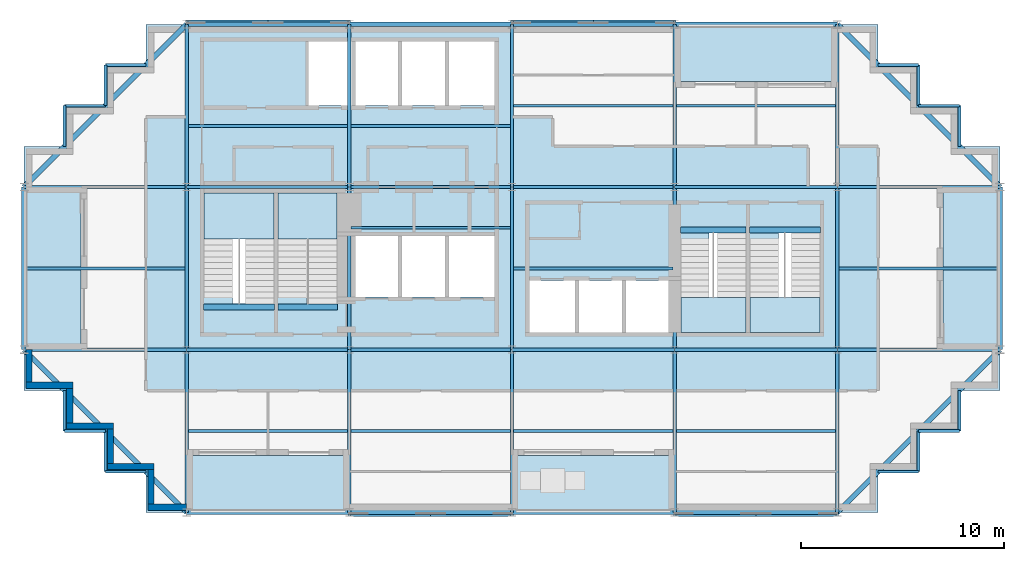
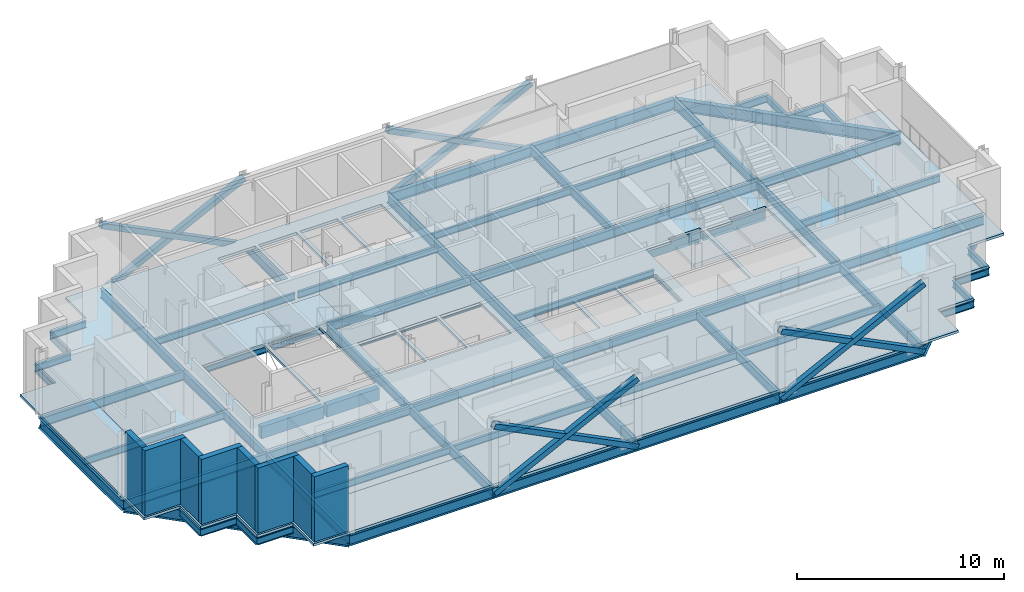
# One storey, part 3 of 10: 73 beams, 12 slabs, 8 members, 8 walls, 4 elements without a shape of their own.
"""IFC4 building model written with IfcOpenShell, lengths in metres."""

from ifc_helpers import new_model, si_unit, direction, frame, frame_2d, origin, origin_2d, place, context, subcontext, project, spatial, polyline, rectangle, hollow_rectangle, i_section, outline, extrude, material, layer, layer_set, material_profile, profile_set, type_object, element, aggregate, save


model = new_model("IFC4")

# Units and contexts
model_context = context("Model", 3, precision=1e-05, world=origin(), true_north=direction((0.0, 1.0)))
body_context = subcontext(model_context, "Body", "Model", "MODEL_VIEW")
ifc_project = project(units=[si_unit("LENGTHUNIT", "METRE"), si_unit("AREAUNIT", "SQUARE_METRE"), si_unit("VOLUMEUNIT", "CUBIC_METRE"), si_unit("PLANEANGLEUNIT", "RADIAN"), si_unit("MASSUNIT", "GRAM", prefix="KILO")], contexts=[model_context])

# Site, building, storey
site_placement = place(None, origin())
site = spatial("IfcSite", under=ifc_project, at=site_placement, CompositionType="ELEMENT")
building_placement = place(site_placement, origin())
building = spatial("IfcBuilding", under=site, at=building_placement, Name="Immortelle Media Tower", CompositionType="ELEMENT")
storey_placement = place(building_placement, frame((0.0, 0.0, 263.0)))
storey = spatial("IfcBuildingStorey", under=building, at=storey_placement, Name="L57", CompositionType="ELEMENT", Elevation=263.0)

# Members
ifc_material_1 = material(Name="Steel ASTM A500 Gr C", Category="steel")
ifc_material_profile_1 = material_profile(ifc_material_1, hollow_rectangle(XDim=0.304931640625, YDim=0.304931640625, WallThickness=0.011962890625, at=origin_2d()), Name="HSS12x12x1/2 brace")
ifc_profile_set_1 = profile_set([ifc_material_profile_1], Name="Steel ASTM A500 Gr C")
member_type = type_object("IfcMemberType", Name="HSS12x12x1/2 brace", PredefinedType="BRACE", material=ifc_profile_set_1)
for number, where, z_axis, x_axis, name in (
    (1, (16.0, -0.0625, -0.4560546875), (0.894427191, 0.0, 0.4472135955), (0.0, 1.0, 0.0), "Brace A/3-4 A"),
    (2, (16.0, -0.0625, 3.5439453125), (0.894427191, 0.0, -0.4472135955), (0.0, 1.0, 0.0), "Brace A/3-4 B"),
    (3, (32.0, -0.0625, -0.4560546875), (0.894427191, 0.0, 0.4472135955), (0.0, 1.0, 0.0), "Brace A/5-6 A"),
    (4, (32.0, -0.0625, 3.5439453125), (0.894427191, 0.0, -0.4472135955), (0.0, 1.0, 0.0), "Brace A/5-6 B"),
    (5, (32.0, 24.0625, -0.4560546875), (-0.894427191, 0.0, 0.4472135955), (0.0, -1.0, 0.0), "Brace D/4-5 A"),
    (6, (32.0, 24.0625, 3.5439453125), (-0.894427191, 0.0, -0.4472135955), (0.0, -1.0, 0.0), "Brace D/4-5 B"),
    (7, (16.0, 24.0625, -0.4560546875), (-0.894427191, 0.0, 0.4472135955), (0.0, -1.0, 0.0), "Brace D/2-3 A"),
    (8, (16.0, 24.0625, 3.5439453125), (-0.894427191, 0.0, -0.4472135955), (0.0, -1.0, 0.0), "Brace D/2-3 B"),
):
    element("IfcMember", number, at=place(storey_placement, frame(where, z_axis=z_axis, x_axis=x_axis)), inside=storey, type_object=member_type, Name=name, PredefinedType="BRACE", context=body_context, shape_type="SweptSolid", body=[
        extrude(hollow_rectangle(XDim=0.304931640625, YDim=0.304931640625, WallThickness=0.011962890625, at=origin_2d()), origin(), (0.0, 0.0, 1.0), 8.9443359375),
    ])

# Beams
ifc_material_2 = material(Name="Concrete C50/60", Category="concrete")
ifc_material_profile_2 = material_profile(ifc_material_2, rectangle(XDim=0.300048828125, YDim=0.699951171875, at=origin_2d()), Name="RC 300x700")
ifc_profile_set_2 = profile_set([ifc_material_profile_2], Name="Concrete C50/60")
beam_type_1 = type_object("IfcBeamType", Name="Stair trimmer beam 300 x 700", PredefinedType="BEAM", material=ifc_profile_set_2)
beam_1_placement = place(storey_placement, frame((8.830078125, 10.10498046875, -0.5), z_axis=(1.0, 0.0, 0.0), x_axis=(0.0, 1.0, 0.0)))
element("IfcBeam", 9, at=beam_1_placement, inside=storey, type_object=beam_type_1, Name="Stair trimmer beam SW1", PredefinedType="BEAM", context=body_context, shape_type="SweptSolid", body=[
    extrude(rectangle(XDim=0.300048828125, YDim=0.699951171875, at=origin_2d()), origin(), (0.0, 0.0, 1.0), 3.489990234375),
])
beam_2_placement = place(storey_placement, frame((12.47998046875, 10.10498046875, -0.5), z_axis=(1.0, 0.0, 0.0), x_axis=(0.0, 1.0, 0.0)))
element("IfcBeam", 10, at=beam_2_placement, inside=storey, type_object=beam_type_1, Name="Stair trimmer beam SW2", PredefinedType="BEAM", context=body_context, shape_type="SweptSolid", body=[
    extrude(rectangle(XDim=0.300048828125, YDim=0.699951171875, at=origin_2d()), origin(), (0.0, 0.0, 1.0), 2.93994140625),
])
beam_3_placement = place(storey_placement, frame((32.280029296875, 13.89501953125, -0.5), z_axis=(1.0, 0.0, 0.0), x_axis=(0.0, 1.0, 0.0)))
element("IfcBeam", 11, at=beam_3_placement, inside=storey, type_object=beam_type_1, Name="Stair trimmer beam SE1", PredefinedType="BEAM", context=body_context, shape_type="SweptSolid", body=[
    extrude(rectangle(XDim=0.300048828125, YDim=0.699951171875, at=origin_2d()), origin(), (0.0, 0.0, 1.0), 3.239990234375),
])
beam_4_placement = place(storey_placement, frame((35.679931640625, 13.89501953125, -0.5), z_axis=(1.0, 0.0, 0.0), x_axis=(0.0, 1.0, 0.0)))
element("IfcBeam", 12, at=beam_4_placement, inside=storey, type_object=beam_type_1, Name="Stair trimmer beam SE2", PredefinedType="BEAM", context=body_context, shape_type="SweptSolid", body=[
    extrude(rectangle(XDim=0.300048828125, YDim=0.699951171875, at=origin_2d()), origin(), (0.0, 0.0, 1.0), 3.489990234375),
])
ifc_material_3 = material(Name="Steel ASTM A992 Gr 50", Category="steel")
ifc_material_profile_3 = material_profile(ifc_material_3, i_section(OverallWidth=0.139892578125, OverallDepth=0.404052734375, WebThickness=0.007080078125, FlangeThickness=0.010986328125, at=origin_2d()), Name="W16x31")
ifc_profile_set_3 = profile_set([ifc_material_profile_3], Name="Steel ASTM A992 Gr 50")
beam_type_2 = type_object("IfcBeamType", Name="W16x31 secondary beam", PredefinedType="JOIST", material=ifc_profile_set_3)
for number, where, z_axis, x_axis, name in (
    (13, (8.08349609375, 4.0, -0.35205078125), (1.0, 0.0, 0.0), (0.0, 1.0, 0.0), "Beam A-B/2-3"),
    (14, (16.08349609375, 4.0, -0.35205078125), (1.0, 0.0, 0.0), (0.0, 1.0, 0.0), "Beam A-B/3-4"),
    (15, (24.08349609375, 4.0, -0.35205078125), (1.0, 0.0, 0.0), (0.0, 1.0, 0.0), "Beam A-B/4-5"),
    (16, (32.08349609375, 4.0, -0.35205078125), (1.0, 0.0, 0.0), (0.0, 1.0, 0.0), "Beam A-B/5-6"),
):
    element("IfcBeam", number, at=place(storey_placement, frame(where, z_axis=z_axis, x_axis=x_axis)), inside=storey, type_object=beam_type_2, Name=name, PredefinedType="JOIST", context=body_context, shape_type="SweptSolid", body=[
        extrude(i_section(OverallWidth=0.139892578125, OverallDepth=0.404052734375, WebThickness=0.007080078125, FlangeThickness=0.010986328125, at=origin_2d()), origin(), (0.0, 0.0, 1.0), 7.8330078125),
    ])
beam_5_placement = place(storey_placement, frame((0.114501953125, 12.0, -0.35205078125), z_axis=(1.0, 0.0, 0.0), x_axis=(0.0, 1.0, 0.0)))
element("IfcBeam", 17, at=beam_5_placement, inside=storey, type_object=beam_type_2, Name="Beam B-C/1-2", PredefinedType="JOIST", context=body_context, shape_type="SweptSolid", body=[
    extrude(i_section(OverallWidth=0.139892578125, OverallDepth=0.404052734375, WebThickness=0.007080078125, FlangeThickness=0.010986328125, at=origin_2d()), origin(), (0.0, 0.0, 1.0), 7.802001953125),
])
for number, where, z_axis, x_axis, name in (
    (18, (16.08349609375, 14.0, -0.35205078125), (1.0, 0.0, 0.0), (0.0, 1.0, 0.0), "Beam B-C/3-4"),
    (19, (24.08349609375, 12.0, -0.35205078125), (1.0, 0.0, 0.0), (0.0, 1.0, 0.0), "Beam B-C/4-5"),
):
    element("IfcBeam", number, at=place(storey_placement, frame(where, z_axis=z_axis, x_axis=x_axis)), inside=storey, type_object=beam_type_2, Name=name, PredefinedType="JOIST", context=body_context, shape_type="SweptSolid", body=[
        extrude(i_section(OverallWidth=0.139892578125, OverallDepth=0.404052734375, WebThickness=0.007080078125, FlangeThickness=0.010986328125, at=origin_2d()), origin(), (0.0, 0.0, 1.0), 7.8330078125),
    ])
beam_6_placement = place(storey_placement, frame((40.08349609375, 12.0, -0.35205078125), z_axis=(1.0, 0.0, 0.0), x_axis=(0.0, 1.0, 0.0)))
element("IfcBeam", 20, at=beam_6_placement, inside=storey, type_object=beam_type_2, Name="Beam B-C/6-7", PredefinedType="JOIST", context=body_context, shape_type="SweptSolid", body=[
    extrude(i_section(OverallWidth=0.139892578125, OverallDepth=0.404052734375, WebThickness=0.007080078125, FlangeThickness=0.010986328125, at=origin_2d()), origin(), (0.0, 0.0, 1.0), 7.802001953125),
])
for number, where, z_axis, x_axis, name in (
    (21, (8.08349609375, 19.0, -0.35205078125), (1.0, 0.0, 0.0), (0.0, 1.0, 0.0), "Beam C-D/2-3"),
    (22, (16.08349609375, 19.0, -0.35205078125), (1.0, 0.0, 0.0), (0.0, 1.0, 0.0), "Beam C-D/3-4"),
    (23, (24.08349609375, 20.0, -0.35205078125), (1.0, 0.0, 0.0), (0.0, 1.0, 0.0), "Beam C-D/4-5"),
    (24, (32.08349609375, 20.0, -0.35205078125), (1.0, 0.0, 0.0), (0.0, 1.0, 0.0), "Beam C-D/5-6"),
):
    element("IfcBeam", number, at=place(storey_placement, frame(where, z_axis=z_axis, x_axis=x_axis)), inside=storey, type_object=beam_type_2, Name=name, PredefinedType="JOIST", context=body_context, shape_type="SweptSolid", body=[
        extrude(i_section(OverallWidth=0.139892578125, OverallDepth=0.404052734375, WebThickness=0.007080078125, FlangeThickness=0.010986328125, at=origin_2d()), origin(), (0.0, 0.0, 1.0), 7.8330078125),
    ])
ifc_material_profile_4 = material_profile(ifc_material_3, i_section(OverallWidth=0.139892578125, OverallDepth=0.404052734375, WebThickness=0.007080078125, FlangeThickness=0.010986328125, at=origin_2d()), Name="W16x31")
ifc_profile_set_4 = profile_set([ifc_material_profile_4], Name="Steel ASTM A992 Gr 50")
beam_type_3 = type_object("IfcBeamType", Name="W16x31 serration edge beam", PredefinedType="SPANDREL", material=ifc_profile_set_4)
for number, where, z_axis, x_axis, name in (
    (25, (6.0, 2.0, -0.35205078125), (-1.0, 0.0, 0.0), (0.0, -1.0, 0.0), "Corner edge beam 1 at 1/A"),
    (26, (4.0, 2.0, -0.35205078125), (0.0, 1.0, 0.0), (-1.0, 0.0, 0.0), "Corner edge beam 2 at 1/A"),
    (27, (4.0, 4.0, -0.35205078125), (-1.0, 0.0, 0.0), (0.0, -1.0, 0.0), "Corner edge beam 3 at 1/A"),
    (28, (2.0, 4.0, -0.35205078125), (0.0, 1.0, 0.0), (-1.0, 0.0, 0.0), "Corner edge beam 4 at 1/A"),
    (29, (2.0, 18.0, -0.35205078125), (0.0, 1.0, 0.0), (-1.0, 0.0, 0.0), "Corner edge beam 1 at 1/D"),
    (30, (2.0, 20.0, -0.35205078125), (1.0, 0.0, 0.0), (0.0, 1.0, 0.0), "Corner edge beam 2 at 1/D"),
    (31, (4.0, 20.0, -0.35205078125), (0.0, 1.0, 0.0), (-1.0, 0.0, 0.0), "Corner edge beam 3 at 1/D"),
    (32, (4.0, 22.0, -0.35205078125), (1.0, 0.0, 0.0), (0.0, 1.0, 0.0), "Corner edge beam 4 at 1/D"),
    (33, (46.0, 6.0, -0.35205078125), (0.0, -1.0, 0.0), (1.0, 0.0, 0.0), "Corner edge beam 1 at 7/A"),
    (34, (46.0, 4.0, -0.35205078125), (-1.0, 0.0, 0.0), (0.0, -1.0, 0.0), "Corner edge beam 2 at 7/A"),
    (35, (44.0, 4.0, -0.35205078125), (0.0, -1.0, 0.0), (1.0, 0.0, 0.0), "Corner edge beam 3 at 7/A"),
    (36, (44.0, 2.0, -0.35205078125), (-1.0, 0.0, 0.0), (0.0, -1.0, 0.0), "Corner edge beam 4 at 7/A"),
    (37, (42.0, 22.0, -0.35205078125), (1.0, 0.0, 0.0), (0.0, 1.0, 0.0), "Corner edge beam 1 at 7/D"),
    (38, (44.0, 22.0, -0.35205078125), (0.0, -1.0, 0.0), (1.0, 0.0, 0.0), "Corner edge beam 2 at 7/D"),
    (39, (44.0, 20.0, -0.35205078125), (1.0, 0.0, 0.0), (0.0, 1.0, 0.0), "Corner edge beam 3 at 7/D"),
    (40, (46.0, 20.0, -0.35205078125), (0.0, -1.0, 0.0), (1.0, 0.0, 0.0), "Corner edge beam 4 at 7/D"),
):
    element("IfcBeam", number, at=place(storey_placement, frame(where, z_axis=z_axis, x_axis=x_axis)), inside=storey, type_object=beam_type_3, Name=name, PredefinedType="SPANDREL", context=body_context, shape_type="SweptSolid", body=[
        extrude(i_section(OverallWidth=0.139892578125, OverallDepth=0.404052734375, WebThickness=0.007080078125, FlangeThickness=0.010986328125, at=origin_2d()), origin(), (0.0, 0.0, 1.0), 2.0),
    ])
ifc_material_profile_5 = material_profile(ifc_material_3, i_section(OverallWidth=0.1669921875, OverallDepth=0.535888671875, WebThickness=0.010009765625, FlangeThickness=0.01708984375, at=origin_2d()), Name="W21x57")
ifc_profile_set_5 = profile_set([ifc_material_profile_5], Name="Steel ASTM A992 Gr 50")
beam_type_4 = type_object("IfcBeamType", Name="W21x57 girder", PredefinedType="BEAM", material=ifc_profile_set_5)
for number, where, z_axis, x_axis, name in (
    (41, (0.0, 8.0, -0.41796875), (1.0, 0.0, 0.0), (0.0, 1.0, 0.0), "Girder B/1-2"),
    (42, (0.0, 16.0, -0.41796875), (1.0, 0.0, 0.0), (0.0, 1.0, 0.0), "Girder C/1-2"),
    (43, (8.0, 0.0, -0.41796875), (0.0, 1.0, 0.0), (-1.0, 0.0, 0.0), "Girder 2/A-B"),
    (44, (8.0, 8.0, -0.41796875), (1.0, 0.0, 0.0), (0.0, 1.0, 0.0), "Girder B/2-3"),
    (45, (8.0, 8.0, -0.41796875), (0.0, 1.0, 0.0), (-1.0, 0.0, 0.0), "Girder 2/B-C"),
    (46, (8.0, 16.0, -0.41796875), (1.0, 0.0, 0.0), (0.0, 1.0, 0.0), "Girder C/2-3"),
    (47, (8.0, 16.0, -0.41796875), (0.0, 1.0, 0.0), (-1.0, 0.0, 0.0), "Girder 2/C-D"),
    (48, (16.0, 0.0, -0.41796875), (0.0, 1.0, 0.0), (-1.0, 0.0, 0.0), "Girder 3/A-B"),
    (49, (16.0, 8.0, -0.41796875), (1.0, 0.0, 0.0), (0.0, 1.0, 0.0), "Girder B/3-4"),
    (50, (16.0, 8.0, -0.41796875), (0.0, 1.0, 0.0), (-1.0, 0.0, 0.0), "Girder 3/B-C"),
    (51, (16.0, 16.0, -0.41796875), (1.0, 0.0, 0.0), (0.0, 1.0, 0.0), "Girder C/3-4"),
    (52, (16.0, 16.0, -0.41796875), (0.0, 1.0, 0.0), (-1.0, 0.0, 0.0), "Girder 3/C-D"),
    (53, (24.0, 0.0, -0.41796875), (0.0, 1.0, 0.0), (-1.0, 0.0, 0.0), "Girder 4/A-B"),
    (54, (24.0, 8.0, -0.41796875), (1.0, 0.0, 0.0), (0.0, 1.0, 0.0), "Girder B/4-5"),
    (55, (24.0, 8.0, -0.41796875), (0.0, 1.0, 0.0), (-1.0, 0.0, 0.0), "Girder 4/B-C"),
    (56, (24.0, 16.0, -0.41796875), (1.0, 0.0, 0.0), (0.0, 1.0, 0.0), "Girder C/4-5"),
    (57, (24.0, 16.0, -0.41796875), (0.0, 1.0, 0.0), (-1.0, 0.0, 0.0), "Girder 4/C-D"),
    (58, (32.0, 0.0, -0.41796875), (0.0, 1.0, 0.0), (-1.0, 0.0, 0.0), "Girder 5/A-B"),
    (59, (32.0, 8.0, -0.41796875), (1.0, 0.0, 0.0), (0.0, 1.0, 0.0), "Girder B/5-6"),
    (60, (32.0, 8.0, -0.41796875), (0.0, 1.0, 0.0), (-1.0, 0.0, 0.0), "Girder 5/B-C"),
    (61, (32.0, 16.0, -0.41796875), (1.0, 0.0, 0.0), (0.0, 1.0, 0.0), "Girder C/5-6"),
    (62, (32.0, 16.0, -0.41796875), (0.0, 1.0, 0.0), (-1.0, 0.0, 0.0), "Girder 5/C-D"),
    (63, (40.0, 0.0, -0.41796875), (0.0, 1.0, 0.0), (-1.0, 0.0, 0.0), "Girder 6/A-B"),
    (64, (40.0, 8.0, -0.41796875), (1.0, 0.0, 0.0), (0.0, 1.0, 0.0), "Girder B/6-7"),
    (65, (40.0, 8.0, -0.41796875), (0.0, 1.0, 0.0), (-1.0, 0.0, 0.0), "Girder 6/B-C"),
    (66, (40.0, 16.0, -0.41796875), (1.0, 0.0, 0.0), (0.0, 1.0, 0.0), "Girder C/6-7"),
    (67, (40.0, 16.0, -0.41796875), (0.0, 1.0, 0.0), (-1.0, 0.0, 0.0), "Girder 6/C-D"),
):
    element("IfcBeam", number, at=place(storey_placement, frame(where, z_axis=z_axis, x_axis=x_axis)), inside=storey, type_object=beam_type_4, Name=name, PredefinedType="BEAM", context=body_context, shape_type="SweptSolid", body=[
        extrude(i_section(OverallWidth=0.1669921875, OverallDepth=0.535888671875, WebThickness=0.010009765625, FlangeThickness=0.01708984375, at=origin_2d()), origin(), (0.0, 0.0, 1.0), 8.0),
    ])
ifc_material_profile_6 = material_profile(ifc_material_3, i_section(OverallWidth=0.22900390625, OverallDepth=0.612060546875, WebThickness=0.011962890625, FlangeThickness=0.02001953125, at=origin_2d()), Name="W24x84")
ifc_profile_set_6 = profile_set([ifc_material_profile_6], Name="Steel ASTM A992 Gr 50")
beam_type_5 = type_object("IfcBeamType", Name="W24x84 perimeter girder", PredefinedType="SPANDREL", material=ifc_profile_set_6)
for number, where, z_axis, x_axis, name in (
    (68, (0.0, 8.0, -0.4560546875), (0.0, 1.0, 0.0), (-1.0, 0.0, 0.0), "Girder 1/B-C"),
    (69, (8.0, 0.0, -0.4560546875), (1.0, 0.0, 0.0), (0.0, 1.0, 0.0), "Girder A/2-3"),
    (70, (8.0, 24.0, -0.4560546875), (1.0, 0.0, 0.0), (0.0, 1.0, 0.0), "Girder D/2-3"),
    (71, (16.0, 0.0, -0.4560546875), (1.0, 0.0, 0.0), (0.0, 1.0, 0.0), "Girder A/3-4"),
    (72, (16.0, 24.0, -0.4560546875), (1.0, 0.0, 0.0), (0.0, 1.0, 0.0), "Girder D/3-4"),
    (73, (24.0, 0.0, -0.4560546875), (1.0, 0.0, 0.0), (0.0, 1.0, 0.0), "Girder A/4-5"),
    (74, (24.0, 24.0, -0.4560546875), (1.0, 0.0, 0.0), (0.0, 1.0, 0.0), "Girder D/4-5"),
    (75, (32.0, 0.0, -0.4560546875), (1.0, 0.0, 0.0), (0.0, 1.0, 0.0), "Girder A/5-6"),
    (76, (32.0, 24.0, -0.4560546875), (1.0, 0.0, 0.0), (0.0, 1.0, 0.0), "Girder D/5-6"),
    (77, (48.0, 8.0, -0.4560546875), (0.0, 1.0, 0.0), (-1.0, 0.0, 0.0), "Girder 7/B-C"),
):
    element("IfcBeam", number, at=place(storey_placement, frame(where, z_axis=z_axis, x_axis=x_axis)), inside=storey, type_object=beam_type_5, Name=name, PredefinedType="SPANDREL", context=body_context, shape_type="SweptSolid", body=[
        extrude(i_section(OverallWidth=0.22900390625, OverallDepth=0.612060546875, WebThickness=0.011962890625, FlangeThickness=0.02001953125, at=origin_2d()), origin(), (0.0, 0.0, 1.0), 8.0),
    ])
ifc_material_profile_7 = material_profile(ifc_material_3, i_section(OverallWidth=0.2529296875, OverallDepth=0.677978515625, WebThickness=0.011962890625, FlangeThickness=0.01611328125, at=origin_2d()), Name="W27x84")
ifc_profile_set_7 = profile_set([ifc_material_profile_7], Name="Steel ASTM A992 Gr 50")
beam_type_6 = type_object("IfcBeamType", Name="W27x84 corner girder", PredefinedType="SPANDREL", material=ifc_profile_set_7)
for number, where, z_axis, x_axis, name in (
    (78, (8.0, 0.0, -0.489013671875), (-0.707106781187, 0.707106781187, 0.0), (-0.707106781187, -0.707106781187, 0.0), "Corner girder at 1/A"),
    (79, (0.0, 16.0, -0.489013671875), (0.707106781187, 0.707106781187, 0.0), (-0.707106781187, 0.707106781187, 0.0), "Corner girder at 1/D"),
    (80, (48.0, 8.0, -0.489013671875), (-0.707106781187, -0.707106781187, 0.0), (0.707106781187, -0.707106781187, 0.0), "Corner girder at 7/A"),
    (81, (40.0, 24.0, -0.489013671875), (0.707106781187, -0.707106781187, 0.0), (0.707106781187, 0.707106781187, 0.0), "Corner girder at 7/D"),
):
    element("IfcBeam", number, at=place(storey_placement, frame(where, z_axis=z_axis, x_axis=x_axis)), inside=storey, type_object=beam_type_6, Name=name, PredefinedType="SPANDREL", context=body_context, shape_type="SweptSolid", body=[
        extrude(i_section(OverallWidth=0.2529296875, OverallDepth=0.677978515625, WebThickness=0.011962890625, FlangeThickness=0.01611328125, at=origin_2d()), origin(), (0.0, 0.0, 1.0), 11.313720703125),
    ])

# Slabs
ifc_material_4 = material(Name="Concrete C50/60 composite deck", Category="concrete")
ifc_layer_1 = layer(ifc_material_4, 0.14990234375)
ifc_layer_set_1 = layer_set([ifc_layer_1], Name="Concrete C50/60 composite deck")
slab_type_1 = type_object("IfcSlabType", Name="Balcony slab 150", PredefinedType="FLOOR", material=ifc_layer_set_1)
slab_1_placement = place(storey_placement, frame((0.0, 0.0, -0.14990234375)))
element("IfcSlab", 82, at=slab_1_placement, inside=storey, type_object=slab_type_1, Name="Balcony slab L57 S0", PredefinedType="FLOOR", context=body_context, shape_type="SweptSolid", body=[
    extrude(outline(polyline([(16.0, 0.0), (16.0, 2.800048828125), (8.0, 2.800048828125), (8.0, 0.0), (16.0, 0.0)])), origin(), (0.0, 0.0, 1.0), 0.14990234375),
])
slab_2_placement = place(storey_placement, frame((0.0, 0.0, -0.14990234375)))
element("IfcSlab", 83, at=slab_2_placement, inside=storey, type_object=slab_type_1, Name="Balcony slab L57 S2", PredefinedType="FLOOR", context=body_context, shape_type="SweptSolid", body=[
    extrude(outline(polyline([(32.0, 0.0), (32.0, 2.800048828125), (24.0, 2.800048828125), (24.0, 0.0), (32.0, 0.0)])), origin(), (0.0, 0.0, 1.0), 0.14990234375),
])
slab_3_placement = place(storey_placement, frame((0.0, 0.0, -0.14990234375)))
element("IfcSlab", 84, at=slab_3_placement, inside=storey, type_object=slab_type_1, Name="Balcony slab L57 E0", PredefinedType="FLOOR", context=body_context, shape_type="SweptSolid", body=[
    extrude(outline(polyline([(48.0, 8.0), (48.0, 16.0), (45.199951171875, 16.0), (45.199951171875, 8.0), (48.0, 8.0)])), origin(), (0.0, 0.0, 1.0), 0.14990234375),
])
slab_4_placement = place(storey_placement, frame((0.0, 0.0, -0.14990234375)))
element("IfcSlab", 85, at=slab_4_placement, inside=storey, type_object=slab_type_1, Name="Balcony slab L57 N0", PredefinedType="FLOOR", context=body_context, shape_type="SweptSolid", body=[
    extrude(outline(polyline([(40.0, 21.199951171875), (40.0, 24.0), (32.0, 24.0), (32.0, 21.199951171875), (40.0, 21.199951171875)])), origin(), (0.0, 0.0, 1.0), 0.14990234375),
])
slab_5_placement = place(storey_placement, frame((0.0, 0.0, -0.14990234375)))
element("IfcSlab", 86, at=slab_5_placement, inside=storey, type_object=slab_type_1, Name="Balcony slab L57 W0", PredefinedType="FLOOR", context=body_context, shape_type="SweptSolid", body=[
    extrude(outline(polyline([(2.800048828125, 8.0), (2.800048828125, 16.0), (0.0, 16.0), (0.0, 8.0), (2.800048828125, 8.0)])), origin(), (0.0, 0.0, 1.0), 0.14990234375),
])
ifc_layer_2 = layer(ifc_material_2, 0.14990234375)
ifc_layer_set_2 = layer_set([ifc_layer_2], Name="Concrete C50/60")
slab_type_2 = type_object("IfcSlabType", Name="Composite floor slab 150", PredefinedType="FLOOR", material=ifc_layer_set_2)
slab_6_placement = place(storey_placement, frame((0.0, 0.0, -0.14990234375)))
element("IfcSlab", 87, at=slab_6_placement, inside=storey, type_object=slab_type_2, Name="Floor slab L57", PredefinedType="FLOOR", context=body_context, shape_type="SweptSolid", body=[
    extrude(outline(polyline([(6.0, 0.0), (6.0, 2.0), (4.0, 2.0), (4.0, 4.0), (2.0, 4.0), (2.0, 6.0), (0.0, 6.0), (0.0, 8.0), (2.800048828125, 8.0), (2.800048828125, 16.0), (0.0, 16.0), (0.0, 18.0), (2.0, 18.0), (2.0, 20.0), (4.0, 20.0), (4.0, 22.0), (6.0, 22.0), (6.0, 24.0), (8.0, 24.0), (8.0, 8.0), (24.0, 8.0), (40.0, 8.0), (40.0, 16.0), (24.0, 16.0), (24.0, 21.199951171875), (24.0, 24.0), (32.0, 24.0), (32.0, 21.199951171875), (40.0, 21.199951171875), (40.0, 24.0), (42.0, 24.0), (42.0, 22.0), (44.0, 22.0), (44.0, 20.0), (46.0, 20.0), (46.0, 18.0), (48.0, 18.0), (48.0, 16.0), (45.199951171875, 16.0), (45.199951171875, 8.0), (48.0, 8.0), (48.0, 6.0), (46.0, 6.0), (46.0, 4.0), (44.0, 4.0), (44.0, 2.0), (42.0, 2.0), (42.0, 0.0), (32.0, 0.0), (32.0, 2.800048828125), (24.0, 2.800048828125), (24.0, 0.0), (16.0, 0.0), (16.0, 2.800048828125), (8.0, 2.800048828125), (8.0, 0.0), (6.0, 0.0)])), origin(), (0.0, 0.0, 1.0), 0.14990234375),
])
ifc_layer_3 = layer(ifc_material_2, 0.14990234375)
ifc_layer_set_3 = layer_set([ifc_layer_3], Name="Concrete C50/60")
slab_type_3 = type_object("IfcSlabType", Name="Core floor slab 150", PredefinedType="FLOOR", material=ifc_layer_set_3)
slab_7_placement = place(storey_placement, frame((0.0, 0.0, -0.14990234375)))
element("IfcSlab", 88, at=slab_7_placement, inside=storey, type_object=slab_type_3, Name="Core floor SW", PredefinedType="FLOOR", context=body_context, shape_type="SweptSolid", body=[
    extrude(outline(polyline([(8.0, 8.0), (24.0, 8.0), (24.0, 24.0), (8.0, 24.0), (8.0, 8.0)]), holes=[polyline([(14.0, 20.0), (16.10009765625, 20.0), (16.10009765625, 23.14990234375), (14.0, 23.14990234375), (14.0, 20.0)]), polyline([(16.300048828125, 20.0), (18.39990234375, 20.0), (18.39990234375, 23.14990234375), (16.300048828125, 23.14990234375), (16.300048828125, 20.0)]), polyline([(18.60009765625, 20.0), (20.699951171875, 20.0), (20.699951171875, 23.14990234375), (18.60009765625, 23.14990234375), (18.60009765625, 20.0)]), polyline([(20.89990234375, 20.0), (23.14990234375, 20.0), (23.14990234375, 23.14990234375), (20.89990234375, 23.14990234375), (20.89990234375, 20.0)]), polyline([(16.300048828125, 10.60009765625), (18.39990234375, 10.60009765625), (18.39990234375, 13.60009765625), (16.300048828125, 13.60009765625), (16.300048828125, 10.60009765625)]), polyline([(18.60009765625, 10.60009765625), (20.699951171875, 10.60009765625), (20.699951171875, 13.60009765625), (18.60009765625, 13.60009765625), (18.60009765625, 10.60009765625)]), polyline([(20.89990234375, 10.60009765625), (23.14990234375, 10.60009765625), (23.14990234375, 13.60009765625), (20.89990234375, 13.60009765625), (20.89990234375, 10.60009765625)]), polyline([(8.85009765625, 15.699951171875), (12.300048828125, 15.699951171875), (12.300048828125, 10.27001953125), (10.25, 10.27001953125), (10.25, 10.56005859375), (8.85009765625, 10.56005859375), (8.85009765625, 15.699951171875)]), polyline([(12.5, 15.699951171875), (15.39990234375, 15.699951171875), (15.39990234375, 10.27001953125), (13.89990234375, 10.27001953125), (13.89990234375, 10.56005859375), (12.5, 10.56005859375), (12.5, 15.699951171875)])]), origin(), (0.0, 0.0, 1.0), 0.14990234375),
])
slab_8_placement = place(storey_placement, frame((0.0, 0.0, -0.14990234375)))
element("IfcSlab", 89, at=slab_8_placement, inside=storey, type_object=slab_type_3, Name="Core floor SE", PredefinedType="FLOOR", context=body_context, shape_type="SweptSolid", body=[
    extrude(outline(polyline([(24.0, 8.0), (40.0, 8.0), (40.0, 16.0), (24.0, 16.0), (24.0, 8.0)]), holes=[polyline([(24.85009765625, 8.85009765625), (27.10009765625, 8.85009765625), (27.10009765625, 11.39990234375), (24.85009765625, 11.39990234375), (24.85009765625, 8.85009765625)]), polyline([(27.300048828125, 8.85009765625), (29.39990234375, 8.85009765625), (29.39990234375, 11.39990234375), (27.300048828125, 11.39990234375), (27.300048828125, 8.85009765625)]), polyline([(29.60009765625, 8.85009765625), (31.699951171875, 8.85009765625), (31.699951171875, 11.39990234375), (29.60009765625, 11.39990234375), (29.60009765625, 8.85009765625)]), polyline([(35.5, 13.72998046875), (35.5, 8.85009765625), (32.300048828125, 8.85009765625), (32.300048828125, 13.43994140625), (33.699951171875, 13.43994140625), (33.699951171875, 13.72998046875), (35.5, 13.72998046875)]), polyline([(39.14990234375, 13.72998046875), (39.14990234375, 8.85009765625), (35.699951171875, 8.85009765625), (35.699951171875, 13.43994140625), (37.10009765625, 13.43994140625), (37.10009765625, 13.72998046875), (39.14990234375, 13.72998046875)])]), origin(), (0.0, 0.0, 1.0), 0.14990234375),
])

# Stair, slab
stair_type = type_object("IfcStairType", Name="Stair with flights", PredefinedType="DOUBLE_RETURN_STAIR", material=ifc_material_3)
stair_1_placement = place(storey_placement, origin())
stair_1 = element("IfcStair", 90, at=stair_1_placement, inside=storey, type_object=stair_type, Name="Exit stair SW1", PredefinedType="DOUBLE_RETURN_STAIR")
ifc_material_5 = material(Name="Steel ASTM A572 Gr 50", Category="steel")
ifc_layer_4 = layer(ifc_material_5, 0.199951171875)
ifc_layer_set_4 = layer_set([ifc_layer_4], Name="Steel ASTM A572 Gr 50")
slab_type_4 = type_object("IfcSlabType", Name="Stair landing 200", PredefinedType="LANDING", material=ifc_layer_set_4)
slab_9_placement = place(storey_placement, frame((0.0, 0.0, 1.713134765625)))
slab_9 = element("IfcSlab", 91, at=slab_9_placement, type_object=slab_type_4, Name="ST SW1 landing 1", PredefinedType="LANDING", context=body_context, shape_type="SweptSolid", body=[
    extrude(outline(polyline([(8.85009765625, 13.43994140625), (12.300048828125, 13.43994140625), (12.300048828125, 15.699951171875), (8.85009765625, 15.699951171875), (8.85009765625, 13.43994140625)])), origin(), (0.0, 0.0, 1.0), 0.199951171875),
])
aggregate(stair_1, [slab_9])

stair_2_placement = place(storey_placement, origin())
stair_2 = element("IfcStair", 92, at=stair_2_placement, inside=storey, type_object=stair_type, Name="Exit stair SW2", PredefinedType="DOUBLE_RETURN_STAIR")
slab_10_placement = place(storey_placement, frame((0.0, 0.0, 1.713134765625)))
slab_10 = element("IfcSlab", 93, at=slab_10_placement, type_object=slab_type_4, Name="ST SW2 landing 1", PredefinedType="LANDING", context=body_context, shape_type="SweptSolid", body=[
    extrude(outline(polyline([(12.5, 13.43994140625), (15.39990234375, 13.43994140625), (15.39990234375, 15.699951171875), (12.5, 15.699951171875), (12.5, 13.43994140625)])), origin(), (0.0, 0.0, 1.0), 0.199951171875),
])
aggregate(stair_2, [slab_10])

stair_3_placement = place(storey_placement, origin())
stair_3 = element("IfcStair", 94, at=stair_3_placement, inside=storey, type_object=stair_type, Name="Exit stair SE1", PredefinedType="DOUBLE_RETURN_STAIR")
slab_11_placement = place(storey_placement, frame((0.0, 0.0, 1.713134765625)))
slab_11 = element("IfcSlab", 95, at=slab_11_placement, type_object=slab_type_4, Name="ST SE1 landing 1", PredefinedType="LANDING", context=body_context, shape_type="SweptSolid", body=[
    extrude(outline(polyline([(32.300048828125, 8.85009765625), (35.5, 8.85009765625), (35.5, 10.56005859375), (32.300048828125, 10.56005859375), (32.300048828125, 8.85009765625)])), origin(), (0.0, 0.0, 1.0), 0.199951171875),
])
aggregate(stair_3, [slab_11])

stair_4_placement = place(storey_placement, origin())
stair_4 = element("IfcStair", 96, at=stair_4_placement, inside=storey, type_object=stair_type, Name="Exit stair SE2", PredefinedType="DOUBLE_RETURN_STAIR")
slab_12_placement = place(storey_placement, frame((0.0, 0.0, 1.713134765625)))
slab_12 = element("IfcSlab", 97, at=slab_12_placement, type_object=slab_type_4, Name="ST SE2 landing 1", PredefinedType="LANDING", context=body_context, shape_type="SweptSolid", body=[
    extrude(outline(polyline([(35.699951171875, 8.85009765625), (39.14990234375, 8.85009765625), (39.14990234375, 10.56005859375), (35.699951171875, 10.56005859375), (35.699951171875, 8.85009765625)])), origin(), (0.0, 0.0, 1.0), 0.199951171875),
])
aggregate(stair_4, [slab_12])

# Walls
ifc_material_6 = material(Name="Pale aluminium cladding panel", Category="aluminium")
ifc_layer_5 = layer(ifc_material_6, 0.030029296875)
ifc_material_7 = material(Name="Steel ASTM A653 SS Gr 50 stud frame with mineral wool", Category="steel")
ifc_layer_6 = layer(ifc_material_7, 0.257568359375)
ifc_material_8 = material(Name="Moisture-resistant gypsum board", Category="gypsum")
ifc_layer_7 = layer(ifc_material_8, 0.012451171875)
ifc_layer_set_5 = layer_set([ifc_layer_5, ifc_layer_6, ifc_layer_7], Name="Steel ASTM A653 SS Gr 50 stud frame with mineral wool")
wall_type = type_object("IfcWallType", Name="Facade wall 300", PredefinedType="SOLIDWALL", material=ifc_layer_set_5)
wall_1_placement = place(storey_placement, frame((0.10009765625, 6.25, 0.0), z_axis=(0.0, 0.0, 1.0), x_axis=(1.0, 0.0, 0.0)))
element("IfcWall", 98, at=wall_1_placement, inside=storey, type_object=wall_type, Name="Facade wall L57 S0", PredefinedType="SOLIDWALL", context=body_context, shape_type="SweptSolid", body=[
    extrude(rectangle(XDim=2.2998046875, YDim=0.300048828125, at=frame_2d((1.14990234375, 0.0))), origin(), (0.0, 0.0, 1.0), 3.85009765625),
])
wall_2_placement = place(storey_placement, frame((2.25, 6.10009765625, 0.0), z_axis=(0.0, 0.0, 1.0), x_axis=(0.0, -1.0, 0.0)))
element("IfcWall", 99, at=wall_2_placement, inside=storey, type_object=wall_type, Name="Facade wall L57 W1", PredefinedType="SOLIDWALL", context=body_context, shape_type="SweptSolid", body=[
    extrude(rectangle(XDim=1.7001953125, YDim=0.300048828125, at=frame_2d((0.85009765625, 0.0))), origin(), (0.0, 0.0, 1.0), 3.85009765625),
])
wall_3_placement = place(storey_placement, frame((2.10009765625, 4.25, 0.0), z_axis=(0.0, 0.0, 1.0), x_axis=(1.0, 0.0, 0.0)))
element("IfcWall", 100, at=wall_3_placement, inside=storey, type_object=wall_type, Name="Facade wall L57 S2", PredefinedType="SOLIDWALL", context=body_context, shape_type="SweptSolid", body=[
    extrude(rectangle(XDim=2.2998046875, YDim=0.300048828125, at=frame_2d((1.14990234375, 0.0))), origin(), (0.0, 0.0, 1.0), 3.85009765625),
])
wall_4_placement = place(storey_placement, frame((4.25, 4.10009765625, 0.0), z_axis=(0.0, 0.0, 1.0), x_axis=(0.0, -1.0, 0.0)))
element("IfcWall", 101, at=wall_4_placement, inside=storey, type_object=wall_type, Name="Facade wall L57 W3", PredefinedType="SOLIDWALL", context=body_context, shape_type="SweptSolid", body=[
    extrude(rectangle(XDim=1.7001953125, YDim=0.300048828125, at=frame_2d((0.85009765625, 0.0))), origin(), (0.0, 0.0, 1.0), 3.85009765625),
])
wall_5_placement = place(storey_placement, frame((4.10009765625, 2.25, 0.0), z_axis=(0.0, 0.0, 1.0), x_axis=(1.0, 0.0, 0.0)))
element("IfcWall", 102, at=wall_5_placement, inside=storey, type_object=wall_type, Name="Facade wall L57 S4", PredefinedType="SOLIDWALL", context=body_context, shape_type="SweptSolid", body=[
    extrude(rectangle(XDim=2.2998046875, YDim=0.300048828125, at=frame_2d((1.14990234375, 0.0))), origin(), (0.0, 0.0, 1.0), 3.85009765625),
])
wall_6_placement = place(storey_placement, frame((6.25, 2.10009765625, 0.0), z_axis=(0.0, 0.0, 1.0), x_axis=(0.0, -1.0, 0.0)))
element("IfcWall", 103, at=wall_6_placement, inside=storey, type_object=wall_type, Name="Facade wall L57 W5", PredefinedType="SOLIDWALL", context=body_context, shape_type="SweptSolid", body=[
    extrude(rectangle(XDim=1.7001953125, YDim=0.300048828125, at=frame_2d((0.85009765625, 0.0))), origin(), (0.0, 0.0, 1.0), 3.85009765625),
])
wall_7_placement = place(storey_placement, frame((6.10009765625, 0.25, 0.0), z_axis=(0.0, 0.0, 1.0), x_axis=(1.0, 0.0, 0.0)))
element("IfcWall", 104, at=wall_7_placement, inside=storey, type_object=wall_type, Name="Facade wall L57 S6", PredefinedType="SOLIDWALL", context=body_context, shape_type="SweptSolid", body=[
    extrude(rectangle(XDim=1.89990234375, YDim=0.300048828125, at=frame_2d((0.949951171875, 0.0))), origin(), (0.0, 0.0, 1.0), 3.85009765625),
])
wall_8_placement = place(storey_placement, frame((0.25, 8.0, 0.0), z_axis=(0.0, 0.0, 1.0), x_axis=(0.0, -1.0, 0.0)))
element("IfcWall", 105, at=wall_8_placement, inside=storey, type_object=wall_type, Name="Facade wall L57 W27", PredefinedType="SOLIDWALL", context=body_context, shape_type="SweptSolid", body=[
    extrude(rectangle(XDim=1.60009765625, YDim=0.300048828125, at=frame_2d((0.800048828125, 0.0))), origin(), (0.0, 0.0, 1.0), 3.85009765625),
])

save(model, "model.ifc")
